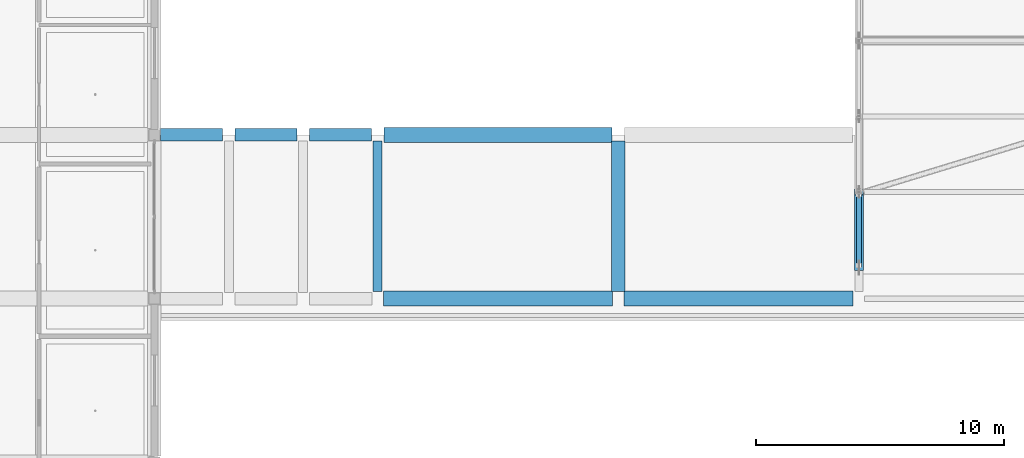
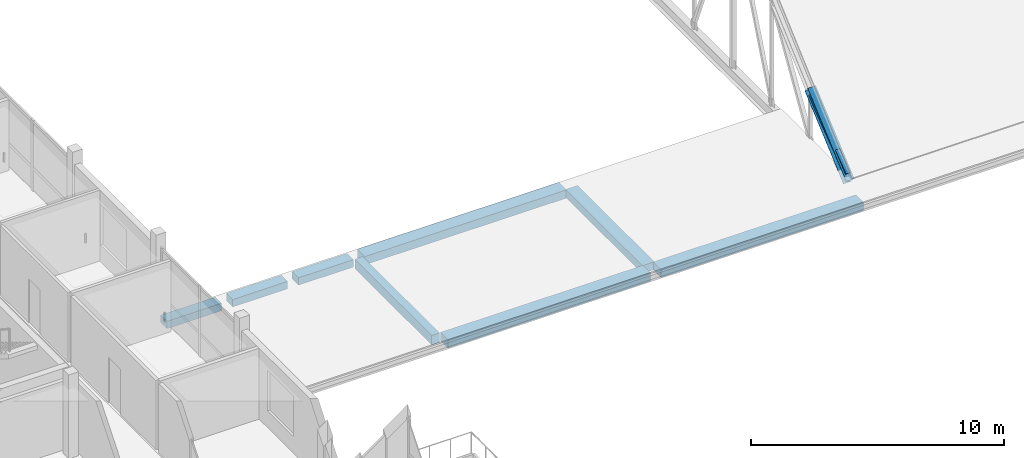
# One storey, part 10 of 86: 8 beams, 2 members.
"""IFC4 building model written with IfcOpenShell, lengths in metres."""

from ifc_helpers import new_model, si_unit, derived_unit, direction, frame, origin, origin_2d, place, context, subcontext, project, spatial, rectangle, hollow_rectangle, i_section, extrude, material, material_profile, profile_set, type_object, element, save


model = new_model("IFC4")

# Units and contexts
model_context = context("Model", 3, precision=1e-05, world=origin(), true_north=direction((0.0, 1.0)))
body_context = subcontext(model_context, "Body", "Model", "MODEL_VIEW")
ifc_project = project(units=[si_unit("LENGTHUNIT", "METRE"), si_unit("AREAUNIT", "SQUARE_METRE"), si_unit("VOLUMEUNIT", "CUBIC_METRE"), si_unit("PLANEANGLEUNIT", "RADIAN"), si_unit("MASSUNIT", "GRAM", prefix="KILO"), derived_unit("THERMALTRANSMITTANCEUNIT", [(si_unit("POWERUNIT", "WATT"), 1), (si_unit("LENGTHUNIT", "METRE"), -2), (si_unit("THERMODYNAMICTEMPERATUREUNIT", "KELVIN"), -1)])], contexts=[model_context])

# Site, building, storey
site_placement = place(None, origin())
site = spatial("IfcSite", under=ifc_project, at=site_placement, CompositionType="ELEMENT")
building_placement = place(site_placement, origin())
building = spatial("IfcBuilding", under=site, at=building_placement, Name="Braskholm Square Health Centre", CompositionType="ELEMENT")
storey_placement = place(building_placement, frame((0.0, 0.0, 13.5)))
storey = spatial("IfcBuildingStorey", under=building, at=storey_placement, Name="L04", CompositionType="ELEMENT", Elevation=13.5)

# Beams
ifc_material_1 = material(Name="Concrete C35/45 (f'c = 35 MPa)", Category="concrete")
ifc_material_profile_1 = material_profile(ifc_material_1, rectangle(XDim=0.5, YDim=0.360107421875, at=origin_2d()), Name="RCB-500X360")
ifc_profile_set_1 = profile_set([ifc_material_profile_1], Name="Concrete C35/45 (f'c = 35 MPa)")
beam_type_1 = type_object("IfcBeamType", Name="PrimaryBandBeam500x360", PredefinedType="BEAM", material=ifc_profile_set_1)
for number, where, z_axis, x_axis, name in (
    (1, (19.449951171875, 93.800048828125, -0.429931640625), (1.0, 0.0, 0.0), (0.0, 1.0, 0.0), "Beam 3-4/P L04"),
    (2, (22.449951171875, 93.800048828125, -0.429931640625), (1.0, 0.0, 0.0), (0.0, 1.0, 0.0), "Beam 4-5/P L04"),
    (3, (25.449951171875, 93.800048828125, -0.429931640625), (1.0, 0.0, 0.0), (0.0, 1.0, 0.0), "Beam 5-6/P L04"),
):
    element("IfcBeam", number, at=place(storey_placement, frame(where, z_axis=z_axis, x_axis=x_axis)), inside=storey, type_object=beam_type_1, Name=name, PredefinedType="BEAM", context=body_context, shape_type="SweptSolid", body=[
        extrude(rectangle(XDim=0.5, YDim=0.360107421875, at=origin_2d()), origin(), (0.0, 0.0, 1.0), 2.5),
    ])
ifc_material_profile_2 = material_profile(ifc_material_1, rectangle(XDim=0.550048828125, YDim=0.3798828125, at=origin_2d()), Name="RCB-550X380")
ifc_profile_set_2 = profile_set([ifc_material_profile_2], Name="Concrete C35/45 (f'c = 35 MPa)")
beam_type_2 = type_object("IfcBeamType", Name="PrimaryBandBeam550x380", PredefinedType="BEAM", material=ifc_profile_set_2)
beam_1_placement = place(storey_placement, frame((37.89990234375, 87.47998046875, -0.43994140625), z_axis=(0.0, 1.0, 0.0), x_axis=(-1.0, 0.0, 0.0)))
element("IfcBeam", 4, at=beam_1_placement, inside=storey, type_object=beam_type_2, Name="Beam 7/N-P L04", PredefinedType="BEAM", context=body_context, shape_type="SweptSolid", body=[
    extrude(rectangle(XDim=0.550048828125, YDim=0.3798828125, at=origin_2d()), origin(), (0.0, 0.0, 1.0), 6.070068359375),
])
ifc_material_profile_3 = material_profile(ifc_material_1, rectangle(XDim=0.60009765625, YDim=0.39990234375, at=origin_2d()), Name="RCB-600X400")
ifc_profile_set_3 = profile_set([ifc_material_profile_3], Name="Concrete C35/45 (f'c = 35 MPa)")
beam_type_3 = type_object("IfcBeamType", Name="PrimaryBandBeam600x400", PredefinedType="BEAM", material=ifc_profile_set_3)
beam_2_placement = place(storey_placement, frame((28.429931640625, 87.199951171875, -0.449951171875), z_axis=(1.0, 0.0, 0.0), x_axis=(0.0, 1.0, 0.0)))
element("IfcBeam", 5, at=beam_2_placement, inside=storey, type_object=beam_type_3, Name="Beam 6-7/N L04", PredefinedType="BEAM", context=body_context, shape_type="SweptSolid", body=[
    extrude(rectangle(XDim=0.60009765625, YDim=0.39990234375, at=origin_2d()), origin(), (0.0, 0.0, 1.0), 9.239990234375),
])
beam_3_placement = place(storey_placement, frame((38.1298828125, 87.199951171875, -0.449951171875), z_axis=(1.0, 0.0, 0.0), x_axis=(0.0, 1.0, 0.0)))
element("IfcBeam", 6, at=beam_3_placement, inside=storey, type_object=beam_type_3, Name="Beam 7-8/N L04", PredefinedType="BEAM", context=body_context, shape_type="SweptSolid", body=[
    extrude(rectangle(XDim=0.60009765625, YDim=0.39990234375, at=origin_2d()), origin(), (0.0, 0.0, 1.0), 9.240234375),
])
beam_4_placement = place(storey_placement, frame((28.449951171875, 93.800048828125, -0.449951171875), z_axis=(1.0, 0.0, 0.0), x_axis=(0.0, 1.0, 0.0)))
element("IfcBeam", 7, at=beam_4_placement, inside=storey, type_object=beam_type_3, Name="Beam 6-7/P L04", PredefinedType="BEAM", context=body_context, shape_type="SweptSolid", body=[
    extrude(rectangle(XDim=0.60009765625, YDim=0.39990234375, at=origin_2d()), origin(), (0.0, 0.0, 1.0), 9.199951171875),
])
ifc_material_2 = material(Name="Precast concrete C40/50 architectural white", Category="concrete")
ifc_material_profile_4 = material_profile(ifc_material_2, rectangle(XDim=0.360107421875, YDim=0.4599609375, at=origin_2d()), Name="RCB-360X460")
ifc_profile_set_4 = profile_set([ifc_material_profile_4], Name="Precast concrete C40/50 architectural white")
beam_type_4 = type_object("IfcBeamType", Name="SpandrelTerraceEdge360x460", PredefinedType="SPANDREL", material=ifc_profile_set_4)
beam_5_placement = place(storey_placement, frame((28.199951171875, 87.47998046875, -0.47998046875), z_axis=(0.0, 1.0, 0.0), x_axis=(-1.0, 0.0, 0.0)))
element("IfcBeam", 8, at=beam_5_placement, inside=storey, type_object=beam_type_4, Name="Beam 6/N-P L04", PredefinedType="SPANDREL", context=body_context, shape_type="SweptSolid", body=[
    extrude(rectangle(XDim=0.360107421875, YDim=0.4599609375, at=origin_2d()), origin(), (0.0, 0.0, 1.0), 6.070068359375),
])

# Members
ifc_material_3 = material(Name="Steel ASTM A500 Grade C", Category="steel")
ifc_material_profile_5 = material_profile(ifc_material_3, hollow_rectangle(XDim=0.203125, YDim=0.203125, WallThickness=0.01171875, at=origin_2d()), Name="HSS8X8X1/2")
ifc_profile_set_5 = profile_set([ifc_material_profile_5], Name="Steel ASTM A500 Grade C")
member_type_1 = type_object("IfcMemberType", Name="TrussOuterDiagHSS8X8X12", PredefinedType="BRACE", material=ifc_profile_set_5)
member_1_placement = place(storey_placement, frame((47.60009765625, 88.5458984375, 0.031005859375), z_axis=(0.0, 0.803191214474, 0.595721304799), x_axis=(-1.0, 0.0, 0.0)))
element("IfcMember", 9, at=member_1_placement, inside=storey, type_object=member_type_1, Name="ROOF TRUSS diagonal web TR-01-D1", PredefinedType="BRACE", context=body_context, shape_type="SweptSolid", body=[
    extrude(hollow_rectangle(XDim=0.203125, YDim=0.203125, WallThickness=0.01171875, at=origin_2d()), origin(), (0.0, 0.0, 1.0), 3.55859375),
])
ifc_material_4 = material(Name="Steel ASTM A992 Grade 50", Category="steel")
ifc_material_profile_6 = material_profile(ifc_material_4, i_section(OverallWidth=0.368896484375, OverallDepth=0.35595703125, WebThickness=0.01123046875, FlangeThickness=0.01806640625, at=origin_2d()), Name="W14X90")
ifc_profile_set_6 = profile_set([ifc_material_profile_6], Name="Steel ASTM A992 Grade 50")
member_type_2 = type_object("IfcMemberType", Name="TrussTopChordW14X90", PredefinedType="CHORD", material=ifc_profile_set_6)
member_2_placement = place(storey_placement, frame((47.60009765625, 88.449951171875, -0.260009765625), z_axis=(0.0, 0.755846764348, 0.654748553892), x_axis=(-1.0, 0.0, 0.0)))
element("IfcMember", 10, at=member_2_placement, inside=storey, type_object=member_type_2, Name="ROOF TRUSS top chord TR-01-1", PredefinedType="CHORD", context=body_context, shape_type="SweptSolid", body=[
    extrude(i_section(OverallWidth=0.368896484375, OverallDepth=0.35595703125, WebThickness=0.01123046875, FlangeThickness=0.01806640625, at=origin_2d()), origin(), (0.0, 0.0, 1.0), 4.03515625),
])

save(model, "model.ifc")
